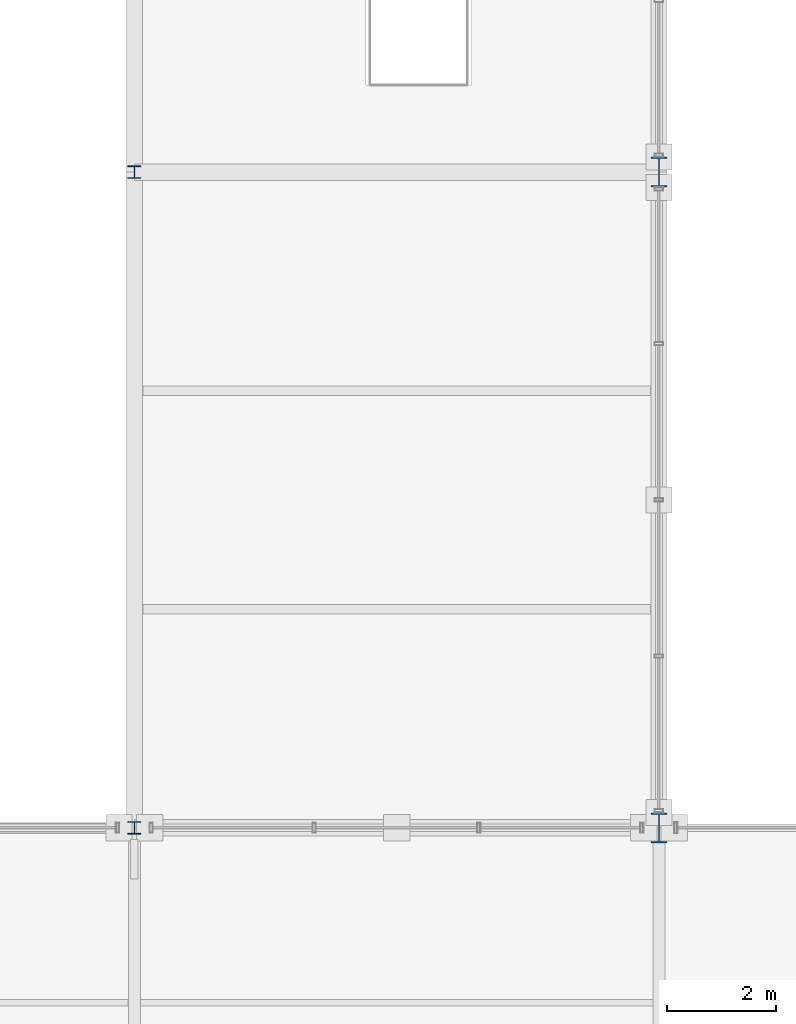
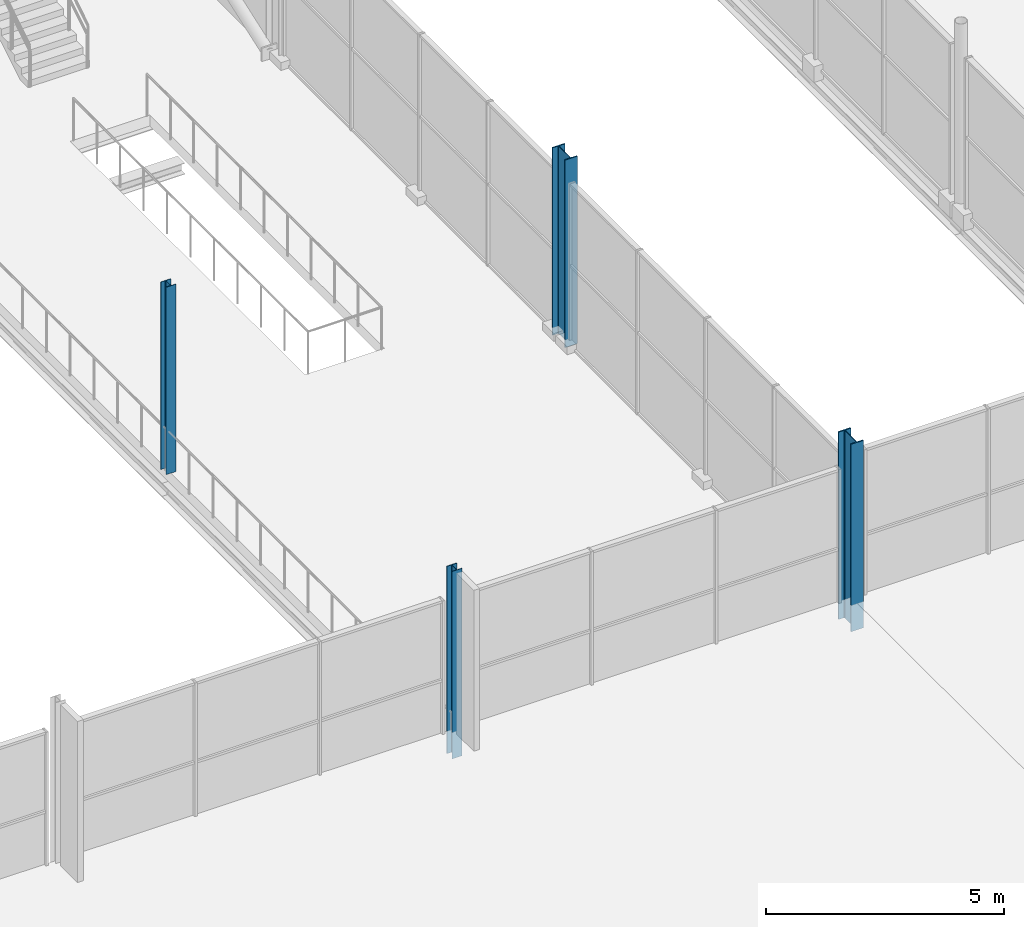
# One storey, part 3 of 159: 4 columns.
"""IFC4 building model written with IfcOpenShell, lengths in metres."""

from ifc_helpers import new_model, si_unit, direction, frame, origin, origin_2d, place, context, subcontext, project, spatial, i_section, extrude, material, material_profile, profile_set, type_object, element, save


model = new_model("IFC4")

# Units and contexts
model_context = context("Model", 3, precision=1e-05, world=origin(), true_north=direction((0.0, 1.0)))
body_context = subcontext(model_context, "Body", "Model", "MODEL_VIEW")
ifc_project = project(units=[si_unit("LENGTHUNIT", "METRE"), si_unit("AREAUNIT", "SQUARE_METRE"), si_unit("VOLUMEUNIT", "CUBIC_METRE"), si_unit("PLANEANGLEUNIT", "RADIAN"), si_unit("MASSUNIT", "GRAM", prefix="KILO")], contexts=[model_context])

# Site, building, storey
site_placement = place(None, origin())
site = spatial("IfcSite", under=ifc_project, at=site_placement, CompositionType="ELEMENT")
building_placement = place(site_placement, origin())
building = spatial("IfcBuilding", under=site, at=building_placement, Name="Merenkruunu Market Hall", CompositionType="ELEMENT")
storey_placement = place(building_placement, frame((0.0, 0.0, 5.39990234375)))
storey = spatial("IfcBuildingStorey", under=building, at=storey_placement, Name="L01", CompositionType="ELEMENT", Elevation=5.39990234375)

# Columns
ifc_material_1 = material(Name="Steel S355ML", Category="steel")
ifc_material_profile_1 = material_profile(ifc_material_1, i_section(OverallWidth=0.300048828125, OverallDepth=0.550048828125, WebThickness=0.014892578125, FlangeThickness=0.029052734375, FilletRadius=0.027099609375, at=origin_2d()), Name="HEB 550")
ifc_profile_set_1 = profile_set([ifc_material_profile_1], Name="Steel S355ML")
column_type_1 = type_object("IfcColumnType", Name="Structural Column C02", PredefinedType="COLUMN", material=ifc_profile_set_1)
for number, where, z_axis, x_axis, name in (
    (1, (57.60009765625, 15.60009765625, 0.0), (0.0, 0.0, 1.0), (1.0, 0.0, 0.0), "COL-L01-G-03"),
    (2, (57.60009765625, 27.60009765625, 0.0), (0.0, 0.0, 1.0), (1.0, 0.0, 0.0), "COL-L01-G-04"),
):
    element("IfcColumn", number, at=place(storey_placement, frame(where, z_axis=z_axis, x_axis=x_axis)), inside=storey, type_object=column_type_1, Name=name, PredefinedType="COLUMN", context=body_context, shape_type="SweptSolid", body=[
        extrude(i_section(OverallWidth=0.300048828125, OverallDepth=0.550048828125, WebThickness=0.014892578125, FlangeThickness=0.029052734375, FilletRadius=0.027099609375, at=origin_2d()), origin(), (0.0, 0.0, 1.0), 4.800048828125),
    ])
ifc_material_2 = material(Name="Steel S355J2", Category="steel")
ifc_material_profile_2 = material_profile(ifc_material_2, i_section(OverallWidth=0.239990234375, OverallDepth=0.22998046875, WebThickness=0.007568359375, FlangeThickness=0.011962890625, FilletRadius=0.02099609375, at=origin_2d()), Name="HEA 240")
ifc_profile_set_2 = profile_set([ifc_material_profile_2], Name="Steel S355J2")
column_type_2 = type_object("IfcColumnType", Name="Structural Column C10", PredefinedType="COLUMN", material=ifc_profile_set_2)
for number, where, z_axis, x_axis, name in (
    (3, (48.0, 15.60009765625, 0.0), (0.0, 0.0, 1.0), (1.0, 0.0, 0.0), "COL-L01-F-03"),
    (4, (48.0, 27.60009765625, 0.0), (0.0, 0.0, 1.0), (1.0, 0.0, 0.0), "COL-L01-F-04"),
):
    element("IfcColumn", number, at=place(storey_placement, frame(where, z_axis=z_axis, x_axis=x_axis)), inside=storey, type_object=column_type_2, Name=name, PredefinedType="COLUMN", context=body_context, shape_type="SweptSolid", body=[
        extrude(i_section(OverallWidth=0.239990234375, OverallDepth=0.22998046875, WebThickness=0.007568359375, FlangeThickness=0.011962890625, FilletRadius=0.02099609375, at=origin_2d()), origin(), (0.0, 0.0, 1.0), 4.800048828125),
    ])

save(model, "model.ifc")
